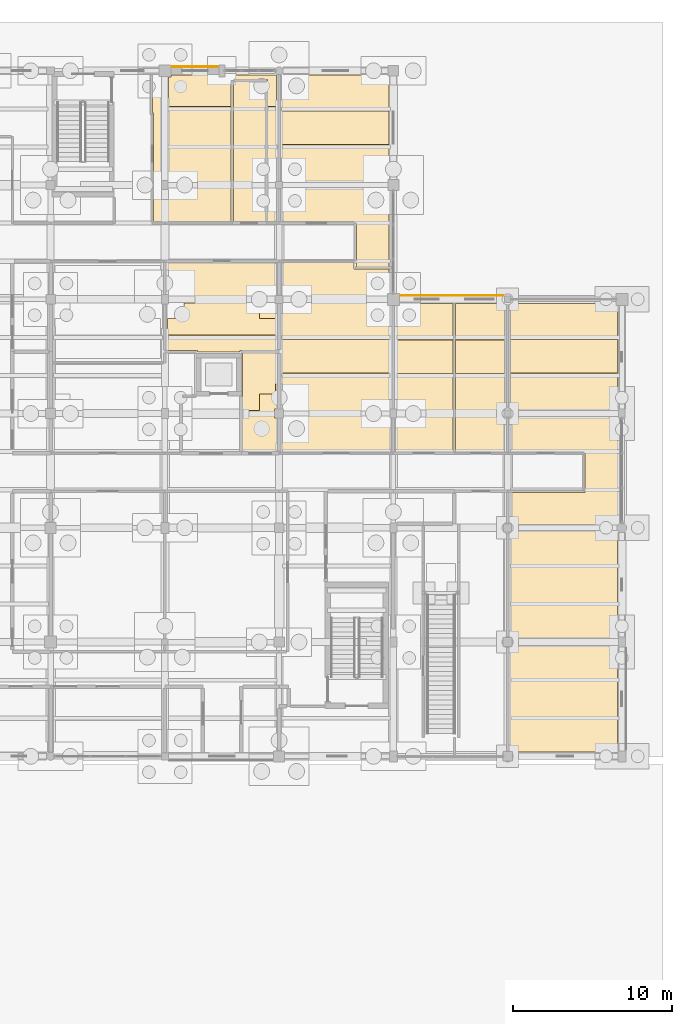
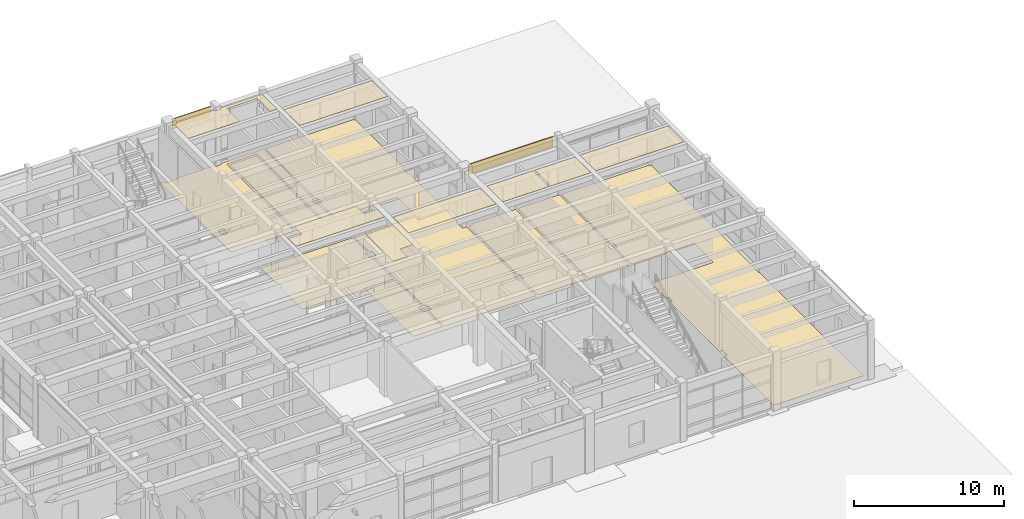
# One storey, part 142 of 143: 19 coverings.
"""IFC4 building model written with IfcOpenShell, lengths in metres."""

from ifc_helpers import new_model, si_unit, direction, frame, origin, origin_2d, place, context, subcontext, project, spatial, polyline, rectangle, outline, extrude, material, layer, layer_set, type_object, element, save


model = new_model("IFC4")

# Units and contexts
model_context = context("Model", 3, precision=1e-05, world=origin(), true_north=direction((0.0, 1.0)))
body_context = subcontext(model_context, "Body", "Model", "MODEL_VIEW")
ifc_project = project(units=[si_unit("LENGTHUNIT", "METRE"), si_unit("AREAUNIT", "SQUARE_METRE"), si_unit("VOLUMEUNIT", "CUBIC_METRE"), si_unit("PLANEANGLEUNIT", "RADIAN"), si_unit("MASSUNIT", "GRAM", prefix="KILO")], contexts=[model_context])

# Site, building, storey
site_placement = place(None, origin())
site = spatial("IfcSite", under=ifc_project, at=site_placement, CompositionType="ELEMENT")
building_placement = place(site_placement, origin())
building = spatial("IfcBuilding", under=site, at=building_placement, Name="Steenspoor Specialist Clinic", CompositionType="ELEMENT")
storey_placement = place(building_placement, origin())
storey = spatial("IfcBuildingStorey", under=building, at=storey_placement, Name="L00", CompositionType="ELEMENT", Elevation=0.0)

# Coverings
ifc_material_1 = material(Name="Washable acoustic mineral ceiling board", Category="gypsum")
ifc_layer_1 = layer(ifc_material_1, 0.02490234375)
ifc_layer_set_1 = layer_set([ifc_layer_1], Name="Washable acoustic mineral ceiling board")
covering_type_1 = type_object("IfcCoveringType", Name="COV-CEIL-ACOUSTIC", PredefinedType="CEILING", material=ifc_layer_set_1)
covering_1_placement = place(storey_placement, frame((0.0, 0.0, 4.4951171875)))
element("IfcCovering", 1, at=covering_1_placement, inside=storey, type_object=covering_type_1, Name="Acoustic Clinical Ceiling 084", PredefinedType="CEILING", context=body_context, shape_type="SweptSolid", body=[
    extrude(outline(polyline([(160.93994140625, 89.300048828125), (154.195068359375, 89.300048828125), (154.195068359375, 91.409912109375), (160.93994140625, 91.409912109375), (160.93994140625, 89.300048828125)])), origin(), (0.0, 0.0, 1.0), 0.02490234375),
])
covering_2_placement = place(storey_placement, frame((0.0, 0.0, 4.4951171875)))
element("IfcCovering", 2, at=covering_2_placement, inside=storey, type_object=covering_type_1, Name="Acoustic Clinical Ceiling 088", PredefinedType="CEILING", context=body_context, shape_type="SweptSolid", body=[
    extrude(outline(polyline([(139.3798828125, 90.5849609375), (139.3798828125, 87.969970703125), (138.3798828125, 87.969970703125), (138.3798828125, 86.945068359375), (137.2900390625, 86.945068359375), (137.2900390625, 87.809814453125), (137.2900390625, 90.5849609375), (139.3798828125, 90.5849609375)])), origin(), (0.0, 0.0, 1.0), 0.02490234375),
])
covering_3_placement = place(storey_placement, frame((0.0, 0.0, 4.4951171875)))
element("IfcCovering", 3, at=covering_3_placement, inside=storey, type_object=covering_type_1, Name="Acoustic Clinical Ceiling 089", PredefinedType="CEILING", context=body_context, shape_type="SweptSolid", body=[
    extrude(outline(polyline([(139.820068359375, 91.409912109375), (146.554931640625, 91.409912109375), (146.554931640625, 89.300048828125), (139.820068359375, 89.300048828125), (139.820068359375, 91.409912109375)])), origin(), (0.0, 0.0, 1.0), 0.02490234375),
])
covering_4_placement = place(storey_placement, frame((0.0, 0.0, 4.4951171875)))
element("IfcCovering", 4, at=covering_4_placement, inside=storey, type_object=covering_type_1, Name="Acoustic Clinical Ceiling 090", PredefinedType="CEILING", context=body_context, shape_type="SweptSolid", body=[
    extrude(outline(polyline([(150.570068359375, 89.2900390625), (147.044921875, 89.2900390625), (147.044921875, 91.39990234375), (150.570068359375, 91.39990234375), (150.570068359375, 89.2900390625)])), origin(), (0.0, 0.0, 1.0), 0.02490234375),
])
covering_5_placement = place(storey_placement, frame((0.0, 0.0, 4.4951171875)))
element("IfcCovering", 5, at=covering_5_placement, inside=storey, type_object=covering_type_1, Name="Acoustic Clinical Ceiling 091", PredefinedType="CEILING", context=body_context, shape_type="SweptSolid", body=[
    extrude(outline(polyline([(150.72998046875, 91.39990234375), (153.804931640625, 91.39990234375), (153.804931640625, 89.2900390625), (150.72998046875, 89.2900390625), (150.72998046875, 91.39990234375)])), origin(), (0.0, 0.0, 1.0), 0.02490234375),
])
covering_6_placement = place(storey_placement, frame((0.0, 0.0, 4.4951171875)))
element("IfcCovering", 6, at=covering_6_placement, inside=storey, type_object=covering_type_1, Name="Acoustic Clinical Ceiling 094", PredefinedType="CEILING", context=body_context, shape_type="SweptSolid", body=[
    extrude(outline(polyline([(132.570068359375, 92.72998046875), (133.6201171875, 92.72998046875), (133.6201171875, 93.72998046875), (138.3798828125, 93.72998046875), (138.3798828125, 92.72998046875), (139.3798828125, 92.72998046875), (139.3798828125, 91.699951171875), (132.570068359375, 91.699951171875), (132.570068359375, 92.72998046875)])), origin(), (0.0, 0.0, 1.0), 0.02490234375),
])
covering_7_placement = place(storey_placement, frame((0.0, 0.0, 4.4951171875)))
element("IfcCovering", 7, at=covering_7_placement, inside=storey, type_object=covering_type_1, Name="Acoustic Clinical Ceiling 095", PredefinedType="CEILING", context=body_context, shape_type="SweptSolid", body=[
    extrude(outline(polyline([(146.5400390625, 103.699951171875), (139.77001953125, 103.699951171875), (139.77001953125, 105.81005859375), (146.5400390625, 105.81005859375), (146.5400390625, 103.699951171875)])), origin(), (0.0, 0.0, 1.0), 0.02490234375),
])
covering_8_placement = place(storey_placement, frame((0.0, 0.0, 4.4951171875)))
element("IfcCovering", 8, at=covering_8_placement, inside=storey, type_object=covering_type_1, Name="Acoustic Clinical Ceiling 096", PredefinedType="CEILING", context=body_context, shape_type="SweptSolid", body=[
    extrude(outline(polyline([(138.885009765625, 107.81494140625), (136.56494140625, 107.81494140625), (136.56494140625, 106.10009765625), (132.6201171875, 106.10009765625), (132.6201171875, 107.9599609375), (132.7900390625, 107.9599609375), (132.7900390625, 108.090087890625), (135.794921875, 108.090087890625), (135.794921875, 107.955078125), (136.205078125, 107.955078125), (136.205078125, 108.090087890625), (139.3349609375, 108.090087890625), (139.3349609375, 108.0849609375), (139.429931640625, 108.0849609375), (139.429931640625, 106.10009765625), (138.885009765625, 106.10009765625), (138.885009765625, 107.81494140625)])), origin(), (0.0, 0.0, 1.0), 0.02490234375),
])
ifc_material_2 = material(Name="Glazed ceramic relief spandrel cladding", Category="masonry")
ifc_layer_2 = layer(ifc_material_2, 0.034912109375)
ifc_layer_set_2 = layer_set([ifc_layer_2], Name="Glazed ceramic relief spandrel cladding")
covering_type_2 = type_object("IfcCoveringType", Name="COV-CLAD-CERAMIC", PredefinedType="CLADDING", material=ifc_layer_set_2)
covering_9_placement = place(storey_placement, frame((134.29248046875, 108.60009765625, 3.68505859375), z_axis=(0.0, 0.0, 1.0), x_axis=(1.0, 0.0, 0.0)))
element("IfcCovering", 9, at=covering_9_placement, inside=storey, type_object=covering_type_2, Name="Spandrel Cladding 82", PredefinedType="CLADDING", context=body_context, shape_type="SweptSolid", body=[
    extrude(rectangle(XDim=2.9150390625, YDim=0.0400390625, at=origin_2d()), origin(), (0.0, 0.0, 1.0), 0.840087890625),
])
covering_10_placement = place(storey_placement, frame((150.487548828125, 94.199951171875, 3.68505859375), z_axis=(0.0, 0.0, 1.0), x_axis=(1.0, 0.0, 0.0)))
element("IfcCovering", 10, at=covering_10_placement, inside=storey, type_object=covering_type_2, Name="Spandrel Cladding 83", PredefinedType="CLADDING", context=body_context, shape_type="SweptSolid", body=[
    extrude(rectangle(XDim=6.5048828125, YDim=0.0400390625, at=origin_2d()), origin(), (0.0, 0.0, 1.0), 0.840087890625),
])
ifc_material_3 = material(Name="Seamless clinical vinyl and terrazzo flooring", Category="plastic")
ifc_layer_3 = layer(ifc_material_3, 0.02001953125)
ifc_layer_set_3 = layer_set([ifc_layer_3], Name="Seamless clinical vinyl and terrazzo flooring")
covering_type_3 = type_object("IfcCoveringType", Name="COV-FLOOR-VINYL", PredefinedType="FLOORING", material=ifc_layer_set_3)
covering_11_placement = place(storey_placement, origin())
element("IfcCovering", 11, at=covering_11_placement, inside=storey, type_object=covering_type_3, Name="Clinical Vinyl Flooring 119", PredefinedType="FLOORING", context=body_context, shape_type="SweptSolid", body=[
    extrude(outline(polyline([(154.06494140625, 86.510009765625), (154.239990234375, 86.510009765625), (154.239990234375, 86.989990234375), (154.06494140625, 86.989990234375), (154.06494140625, 93.68994140625), (160.81005859375, 93.68994140625), (160.81005859375, 93.56005859375), (160.93994140625, 93.56005859375), (160.93994140625, 79.864990234375), (160.885009765625, 79.864990234375), (160.885009765625, 79.235107421875), (160.93994140625, 79.235107421875), (160.93994140625, 65.514892578125), (160.93505859375, 65.514892578125), (160.93505859375, 65.409912109375), (154.31494140625, 65.409912109375), (154.31494140625, 65.465087890625), (154.06494140625, 65.465087890625), (154.06494140625, 72.06005859375), (154.2900390625, 72.06005859375), (154.2900390625, 72.639892578125), (154.06494140625, 72.639892578125), (154.06494140625, 79.284912109375), (154.264892578125, 79.284912109375), (154.264892578125, 79.81494140625), (154.06494140625, 79.81494140625), (154.06494140625, 81.784912109375), (158.864990234375, 81.784912109375), (158.864990234375, 84.31494140625), (154.06494140625, 84.31494140625), (154.06494140625, 86.510009765625)])), origin(), (0.0, 0.0, 1.0), 0.02001953125),
])
covering_12_placement = place(storey_placement, origin())
element("IfcCovering", 12, at=covering_12_placement, inside=storey, type_object=covering_type_3, Name="Clinical Vinyl Flooring 125", PredefinedType="FLOORING", context=body_context, shape_type="SweptSolid", body=[
    extrude(outline(polyline([(137.2900390625, 90.5849609375), (139.534912109375, 90.5849609375), (139.534912109375, 87.0400390625), (139.31005859375, 87.0400390625), (139.31005859375, 86.4599609375), (139.534912109375, 86.4599609375), (139.534912109375, 84.31494140625), (137.2900390625, 84.31494140625), (137.2900390625, 87.809814453125), (137.2900390625, 90.5849609375)])), origin(), (0.0, 0.0, 1.0), 0.02001953125),
])
covering_13_placement = place(storey_placement, origin())
element("IfcCovering", 13, at=covering_13_placement, inside=storey, type_object=covering_type_3, Name="Clinical Vinyl Flooring 126", PredefinedType="FLOORING", context=body_context, shape_type="SweptSolid", body=[
    extrude(outline(polyline([(139.6650390625, 84.31494140625), (139.6650390625, 86.4599609375), (139.889892578125, 86.4599609375), (139.889892578125, 87.0400390625), (139.6650390625, 87.0400390625), (139.6650390625, 93.68505859375), (139.864990234375, 93.68505859375), (139.864990234375, 94.215087890625), (139.6650390625, 94.215087890625), (139.6650390625, 96.284912109375), (144.3349609375, 96.284912109375), (144.3349609375, 95.864990234375), (146.5400390625, 95.864990234375), (146.5400390625, 94.340087890625), (146.409912109375, 94.340087890625), (146.409912109375, 93.56005859375), (146.735107421875, 93.56005859375), (146.735107421875, 87.0400390625), (146.5849609375, 87.0400390625), (146.5849609375, 86.4599609375), (146.735107421875, 86.4599609375), (146.735107421875, 84.31494140625), (139.6650390625, 84.31494140625)])), origin(), (0.0, 0.0, 1.0), 0.02001953125),
])
covering_14_placement = place(storey_placement, origin())
element("IfcCovering", 14, at=covering_14_placement, inside=storey, type_object=covering_type_3, Name="Clinical Vinyl Flooring 127", PredefinedType="FLOORING", context=body_context, shape_type="SweptSolid", body=[
    extrude(outline(polyline([(146.8798828125, 84.330078125), (146.8798828125, 86.4599609375), (147.014892578125, 86.4599609375), (147.014892578125, 87.0400390625), (146.8798828125, 87.0400390625), (146.8798828125, 93.56005859375), (147.18994140625, 93.56005859375), (147.18994140625, 93.68994140625), (150.570068359375, 93.68994140625), (150.570068359375, 84.330078125), (146.8798828125, 84.330078125)])), origin(), (0.0, 0.0, 1.0), 0.02001953125),
])
covering_15_placement = place(storey_placement, origin())
element("IfcCovering", 15, at=covering_15_placement, inside=storey, type_object=covering_type_3, Name="Clinical Vinyl Flooring 128", PredefinedType="FLOORING", context=body_context, shape_type="SweptSolid", body=[
    extrude(outline(polyline([(150.72998046875, 84.330078125), (150.72998046875, 93.68994140625), (153.919921875, 93.68994140625), (153.919921875, 86.989990234375), (153.760009765625, 86.989990234375), (153.760009765625, 86.510009765625), (153.919921875, 86.510009765625), (153.919921875, 84.330078125), (150.72998046875, 84.330078125)])), origin(), (0.0, 0.0, 1.0), 0.02001953125),
])
covering_16_placement = place(storey_placement, origin())
element("IfcCovering", 16, at=covering_16_placement, inside=storey, type_object=covering_type_3, Name="Clinical Vinyl Flooring 131", PredefinedType="FLOORING", context=body_context, shape_type="SweptSolid", body=[
    extrude(outline(polyline([(134.4599609375, 90.735107421875), (132.485107421875, 90.735107421875), (132.485107421875, 93.635009765625), (132.639892578125, 93.635009765625), (132.639892578125, 94.264892578125), (132.485107421875, 94.264892578125), (132.485107421875, 96.264892578125), (139.514892578125, 96.264892578125), (139.514892578125, 94.215087890625), (139.3349609375, 94.215087890625), (139.3349609375, 93.68505859375), (139.514892578125, 93.68505859375), (139.514892578125, 90.735107421875), (137.139892578125, 90.735107421875), (137.139892578125, 90.635009765625), (134.4599609375, 90.635009765625), (134.4599609375, 90.735107421875)])), origin(), (0.0, 0.0, 1.0), 0.02001953125),
])
covering_17_placement = place(storey_placement, origin())
element("IfcCovering", 17, at=covering_17_placement, inside=storey, type_object=covering_type_3, Name="Clinical Vinyl Flooring 132", PredefinedType="FLOORING", context=body_context, shape_type="SweptSolid", body=[
    extrude(outline(polyline([(139.6650390625, 100.909912109375), (139.840087890625, 100.909912109375), (139.840087890625, 101.389892578125), (139.6650390625, 101.389892578125), (139.6650390625, 108.0849609375), (139.864990234375, 108.0849609375), (139.864990234375, 108.090087890625), (146.4599609375, 108.090087890625), (146.4599609375, 108.010009765625), (146.5400390625, 108.010009765625), (146.5400390625, 101.514892578125), (146.43505859375, 101.514892578125), (146.43505859375, 100.784912109375), (146.5400390625, 100.784912109375), (146.5400390625, 95.9951171875), (144.465087890625, 95.9951171875), (144.465087890625, 98.81494140625), (139.6650390625, 98.81494140625), (139.6650390625, 100.909912109375)])), origin(), (0.0, 0.0, 1.0), 0.02001953125),
])
covering_18_placement = place(storey_placement, origin())
element("IfcCovering", 18, at=covering_18_placement, inside=storey, type_object=covering_type_3, Name="Clinical Vinyl Flooring 133", PredefinedType="FLOORING", context=body_context, shape_type="SweptSolid", body=[
    extrude(outline(polyline([(138.735107421875, 107.6650390625), (138.735107421875, 98.81494140625), (136.715087890625, 98.81494140625), (136.715087890625, 107.6650390625), (138.735107421875, 107.6650390625)])), origin(), (0.0, 0.0, 1.0), 0.02001953125),
])
covering_19_placement = place(storey_placement, origin())
element("IfcCovering", 19, at=covering_19_placement, inside=storey, type_object=covering_type_3, Name="Clinical Vinyl Flooring 134", PredefinedType="FLOORING", context=body_context, shape_type="SweptSolid", body=[
    extrude(outline(polyline([(132.010009765625, 108.090087890625), (132.010009765625, 107.9599609375), (132.7900390625, 107.9599609375), (132.7900390625, 108.090087890625), (135.794921875, 108.090087890625), (135.794921875, 107.955078125), (136.205078125, 107.955078125), (136.205078125, 108.090087890625), (139.3349609375, 108.090087890625), (139.3349609375, 108.0849609375), (139.514892578125, 108.0849609375), (139.514892578125, 101.389892578125), (139.360107421875, 101.389892578125), (139.360107421875, 100.909912109375), (139.514892578125, 100.909912109375), (139.514892578125, 98.8349609375), (138.885009765625, 98.8349609375), (138.885009765625, 107.81494140625), (136.56494140625, 107.81494140625), (136.56494140625, 98.8349609375), (131.68505859375, 98.8349609375), (131.68505859375, 105.68505859375), (131.635009765625, 105.68505859375), (131.635009765625, 108.090087890625), (132.010009765625, 108.090087890625)]), holes=[polyline([(132.614990234375, 100.860107421875), (132.614990234375, 101.43994140625), (132.18505859375, 101.43994140625), (132.18505859375, 100.860107421875), (132.614990234375, 100.860107421875)])]), origin(), (0.0, 0.0, 1.0), 0.02001953125),
])

save(model, "model.ifc")
